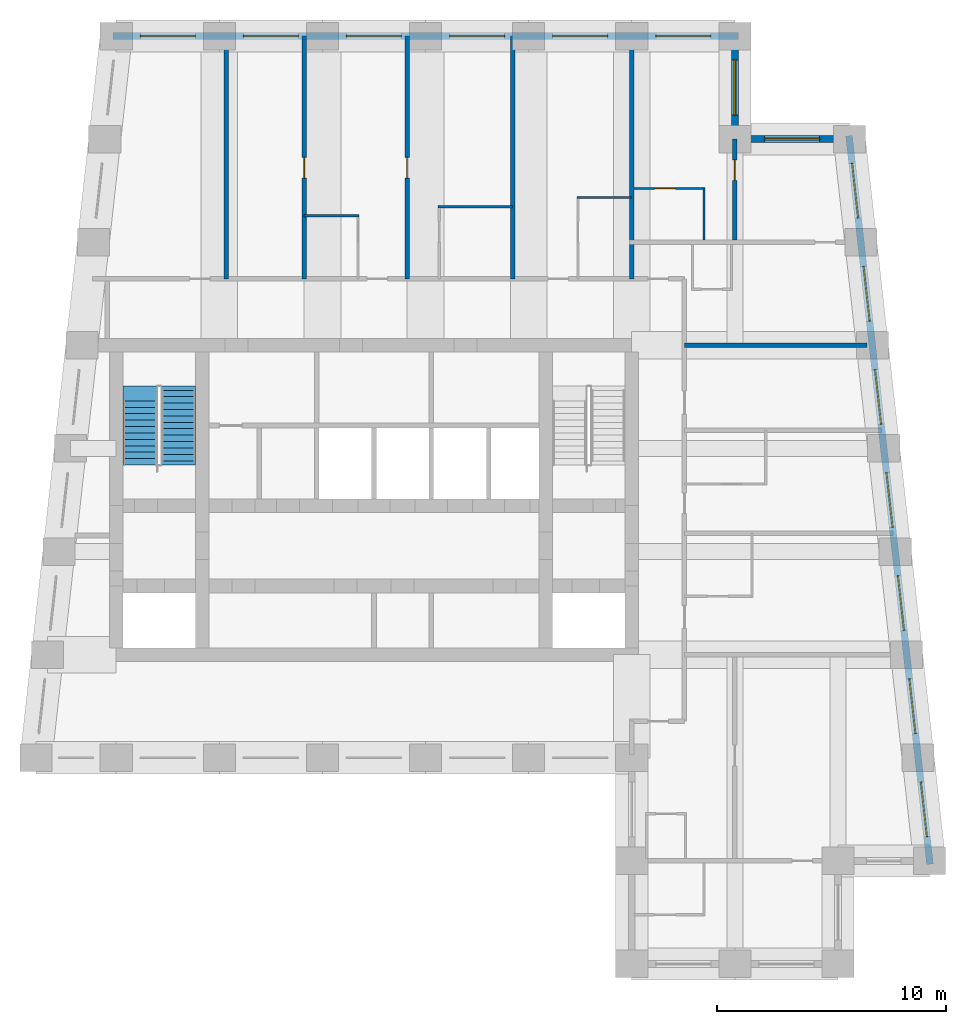
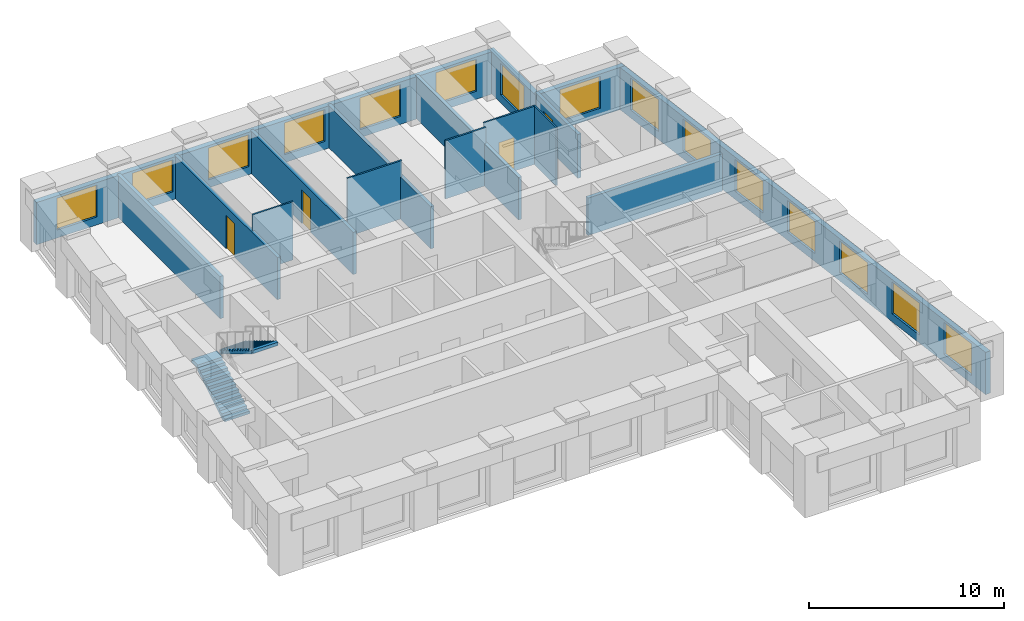
# One storey, part 5 of 7: 16 walls, 15 windows, 4 doors, 2 stair flights, 19 openings, 1 element without a shape of its own.
"""IFC4 building model written with IfcOpenShell, lengths in metres."""

from ifc_helpers import new_model, si_unit, direction, frame, frame_2d, origin, place, context, subcontext, project, spatial, polyline, rectangle, outline, extrude, material, layer, layer_set, type_object, element, fill, aggregate, save


model = new_model("IFC4")

# Units and contexts
model_context = context("Model", 3, precision=1e-05, world=origin(), true_north=direction((0.0, 1.0)))
body_context = subcontext(model_context, "Body", "Model", "MODEL_VIEW")
ifc_project = project(units=[si_unit("LENGTHUNIT", "METRE"), si_unit("AREAUNIT", "SQUARE_METRE"), si_unit("VOLUMEUNIT", "CUBIC_METRE"), si_unit("PLANEANGLEUNIT", "RADIAN"), si_unit("MASSUNIT", "GRAM", prefix="KILO")], contexts=[model_context])

# Site, building, storey
site_placement = place(None, origin())
site = spatial("IfcSite", under=ifc_project, at=site_placement, CompositionType="ELEMENT")
building_placement = place(site_placement, origin())
building = spatial("IfcBuilding", under=site, at=building_placement, Name="Kilele Tower Hotel", CompositionType="ELEMENT")
storey_placement = place(building_placement, frame((0.0, 0.0, 258.5)))
storey = spatial("IfcBuildingStorey", under=building, at=storey_placement, Name="L66", CompositionType="ELEMENT", Elevation=258.5)

# Walls
ifc_material_1 = material(Name="Moisture-resistant board")
ifc_layer_1 = layer(ifc_material_1, 0.10009765625)
ifc_layer_set_1 = layer_set([ifc_layer_1], Name="Moisture-resistant board")
wall_type_1 = type_object("IfcWallType", Name="Bathroom partition 100", PredefinedType="PLUMBINGWALL", material=ifc_layer_set_1)
wall_1_placement = place(storey_placement, frame((21.699951171875, 32.64990234375, 0.0), z_axis=(0.0, 0.0, 1.0), x_axis=(1.0, 0.0, 0.0)))
element("IfcWall", 1, at=wall_1_placement, inside=storey, type_object=wall_type_1, Name="Bathroom partition 100 L66", PredefinedType="PLUMBINGWALL", context=body_context, shape_type="SweptSolid", body=[
    extrude(rectangle(XDim=2.400146484375, YDim=0.10009765625, at=frame_2d((1.2001953125, 0.0))), origin(), (0.0, 0.0, 1.0), 3.64990234375),
])
wall_2_placement = place(storey_placement, frame((27.550048828125, 33.050048828125, 0.0), z_axis=(0.0, 0.0, 1.0), x_axis=(1.0, 0.0, 0.0)))
element("IfcWall", 2, at=wall_2_placement, inside=storey, type_object=wall_type_1, Name="Bathroom partition 100 L66", PredefinedType="PLUMBINGWALL", context=body_context, shape_type="SweptSolid", body=[
    extrude(rectangle(XDim=3.25, YDim=0.10009765625, at=frame_2d((1.625, 0.0))), origin(), (0.0, 0.0, 1.0), 3.64990234375),
])
wall_3_placement = place(storey_placement, frame((33.60009765625, 33.449951171875, 0.0), z_axis=(0.0, 0.0, 1.0), x_axis=(1.0, 0.0, 0.0)))
element("IfcWall", 3, at=wall_3_placement, inside=storey, type_object=wall_type_1, Name="Bathroom partition 100 L66", PredefinedType="PLUMBINGWALL", context=body_context, shape_type="SweptSolid", body=[
    extrude(rectangle(XDim=2.39990234375, YDim=0.10009765625, at=frame_2d((1.199951171875, 0.0))), origin(), (0.0, 0.0, 1.0), 3.64990234375),
])
wall_4_placement = place(storey_placement, frame((39.14990234375, 31.60009765625, 0.0), z_axis=(0.0, 0.0, 1.0), x_axis=(0.0, 1.0, 0.0)))
element("IfcWall", 4, at=wall_4_placement, inside=storey, type_object=wall_type_1, Name="Bathroom partition 100 L66", PredefinedType="PLUMBINGWALL", context=body_context, shape_type="SweptSolid", body=[
    extrude(rectangle(XDim=2.2998046875, YDim=0.10009765625, at=frame_2d((1.14990234375, 0.0))), origin(), (0.0, 0.0, 1.0), 3.64990234375),
])

# Wall, opening, door
wall_5_placement = place(storey_placement, frame((36.10009765625, 33.85009765625, 0.0), z_axis=(0.0, 0.0, 1.0), x_axis=(1.0, 0.0, 0.0)))
wall_5 = element("IfcWall", 5, at=wall_5_placement, inside=storey, type_object=wall_type_1, Name="Bathroom partition 100 L66", PredefinedType="PLUMBINGWALL", context=body_context, shape_type="SweptSolid", body=[
    extrude(rectangle(XDim=3.099853515625, YDim=0.10009765625, at=frame_2d((1.5498046875, 0.0))), origin(), (0.0, 0.0, 1.0), 3.64990234375),
])
opening_1_placement = place(wall_5_placement, frame((0.89990234375, 0.0, 0.0)))
opening_1 = element("IfcOpeningElement", 6, at=opening_1_placement, cuts=wall_5, Name="Opening D2A", PredefinedType="OPENING", context=body_context, shape_type="SweptSolid", body=[
    extrude(rectangle(XDim=0.89990234375, YDim=2.10009765625, at=frame_2d((0.449951171875, 1.050048828125))), frame((0.0, 0.06005859375, 0.0), z_axis=(0.0, -1.0, 0.0), x_axis=(1.0, 0.0, 0.0)), (0.0, 0.0, 1.0), 0.1201171875),
])
ifc_material_2 = material(Name="Timber door leaf in hardwood frame", Category="wood")
door_type_1 = type_object("IfcDoorType", Name="Bathroom door 900", OperationType="SINGLE_SWING_LEFT", PredefinedType="DOOR", material=ifc_material_2)
door_1_placement = place(opening_1_placement, origin())
door_1 = element("IfcDoor", 7, at=door_1_placement, inside=storey, type_object=door_type_1, Name="Bathroom door 6614B", OperationType="SINGLE_SWING_LEFT", OverallHeight=2.10009765625, OverallWidth=0.89990234375, PredefinedType="DOOR", context=body_context, shape_type="SweptSolid", body=[
    extrude(rectangle(XDim=0.89990234375, YDim=2.10009765625, at=frame_2d((0.449951171875, 1.050048828125))), frame((0.0, 0.02490234375, 0.0), z_axis=(0.0, -1.0, 0.0), x_axis=(1.0, 0.0, 0.0)), (0.0, 0.0, 1.0), 0.050048828125),
])
fill(opening_1, door_1)

ifc_material_3 = material(Name="Blockwork, plastered both sides", Category="masonry")
ifc_layer_2 = layer(ifc_material_3, 0.199951171875)
ifc_layer_set_2 = layer_set([ifc_layer_2], Name="Blockwork, plastered both sides")
wall_type_2 = type_object("IfcWallType", Name="Partition wall 200", PredefinedType="PARTITIONING", material=ifc_layer_set_2)
wall_6_placement = place(storey_placement, frame((40.5, 31.60009765625, 0.0), z_axis=(0.0, 0.0, 1.0), x_axis=(0.0, 1.0, 0.0)))
wall_6 = element("IfcWall", 8, at=wall_6_placement, inside=storey, type_object=wall_type_2, Name="Partition wall 200 L66", PredefinedType="PARTITIONING", context=body_context, shape_type="SweptSolid", body=[
    extrude(rectangle(XDim=4.39990234375, YDim=0.199951171875, at=frame_2d((2.199951171875, 0.0))), origin(), (0.0, 0.0, 1.0), 2.75),
])
opening_2_placement = place(wall_6_placement, frame((2.60009765625, 0.0, 0.0)))
opening_2 = element("IfcOpeningElement", 9, at=opening_2_placement, cuts=wall_6, Name="Opening D3", PredefinedType="OPENING", context=body_context, shape_type="SweptSolid", body=[
    extrude(rectangle(XDim=0.89990234375, YDim=2.10009765625, at=frame_2d((0.449951171875, 1.050048828125))), frame((0.0, 0.10986328125, 0.0), z_axis=(0.0, -1.0, 0.0), x_axis=(1.0, 0.0, 0.0)), (0.0, 0.0, 1.0), 0.219970703125),
])
ifc_material_4 = material(Name="Timber door leaf in hardwood frame", Category="wood")
door_type_2 = type_object("IfcDoorType", Name="Suite internal door 900", OperationType="SINGLE_SWING_LEFT", PredefinedType="DOOR", material=ifc_material_4)
door_2_placement = place(opening_2_placement, origin())
door_2 = element("IfcDoor", 10, at=door_2_placement, inside=storey, type_object=door_type_2, Name="Suite door 6615", OperationType="SINGLE_SWING_RIGHT", OverallHeight=2.10009765625, OverallWidth=0.89990234375, PredefinedType="DOOR", context=body_context, shape_type="SweptSolid", body=[
    extrude(rectangle(XDim=0.89990234375, YDim=2.10009765625, at=frame_2d((0.449951171875, 1.050048828125))), frame((0.0, 0.02490234375, 0.0), z_axis=(0.0, -1.0, 0.0), x_axis=(1.0, 0.0, 0.0)), (0.0, 0.0, 1.0), 0.050048828125),
])
fill(opening_2, door_2)

# Wall
ifc_material_5 = material(Name="Blockwork, plastered both sides", Category="masonry")
ifc_layer_3 = layer(ifc_material_5, 0.199951171875)
ifc_layer_set_3 = layer_set([ifc_layer_3], Name="Blockwork, plastered both sides")
wall_type_3 = type_object("IfcWallType", Name="Party wall 200", PredefinedType="PARTITIONING", material=ifc_layer_set_3)
wall_7_placement = place(storey_placement, frame((18.300048828125, 29.89990234375, 0.0), z_axis=(0.0, 0.0, 1.0), x_axis=(0.0, 1.0, 0.0)))
element("IfcWall", 11, at=wall_7_placement, inside=storey, type_object=wall_type_3, Name="Party wall 200 L66", PredefinedType="PARTITIONING", context=body_context, shape_type="SweptSolid", body=[
    extrude(rectangle(XDim=10.60009765625, YDim=0.199951171875, at=frame_2d((5.300048828125, 0.0))), origin(), (0.0, 0.0, 1.0), 2.64990234375),
])

# Wall, opening, door
wall_8_placement = place(storey_placement, frame((21.699951171875, 29.89990234375, 0.0), z_axis=(0.0, 0.0, 1.0), x_axis=(0.0, 1.0, 0.0)))
wall_8 = element("IfcWall", 12, at=wall_8_placement, inside=storey, type_object=wall_type_3, Name="Party wall 200 L66", PredefinedType="PARTITIONING", context=body_context, shape_type="SweptSolid", body=[
    extrude(rectangle(XDim=10.60009765625, YDim=0.199951171875, at=frame_2d((5.300048828125, 0.0))), origin(), (0.0, 0.0, 1.0), 2.64990234375),
])
opening_3_placement = place(wall_8_placement, frame((5.2998046875, 0.0, 0.0), z_axis=(0.0, 0.0, 1.0), x_axis=(-1.0, 0.0, 0.0)))
opening_3 = element("IfcOpeningElement", 13, at=opening_3_placement, cuts=wall_8, Name="Opening D3", PredefinedType="OPENING", context=body_context, shape_type="SweptSolid", body=[
    extrude(rectangle(XDim=0.89990234375, YDim=2.10009765625, at=frame_2d((0.449951171875, 1.050048828125))), frame((0.0, 0.10986328125, 0.0), z_axis=(0.0, -1.0, 0.0), x_axis=(1.0, 0.0, 0.0)), (0.0, 0.0, 1.0), 0.219970703125),
])
door_3_placement = place(opening_3_placement, origin())
door_3 = element("IfcDoor", 14, at=door_3_placement, inside=storey, type_object=door_type_2, Name="Suite door 6607", OperationType="SINGLE_SWING_RIGHT", OverallHeight=2.10009765625, OverallWidth=0.89990234375, PredefinedType="DOOR", context=body_context, shape_type="SweptSolid", body=[
    extrude(rectangle(XDim=0.89990234375, YDim=2.10009765625, at=frame_2d((0.449951171875, 1.050048828125))), frame((0.0, 0.02490234375, 0.0), z_axis=(0.0, -1.0, 0.0), x_axis=(1.0, 0.0, 0.0)), (0.0, 0.0, 1.0), 0.050048828125),
])
fill(opening_3, door_3)

wall_9_placement = place(storey_placement, frame((26.199951171875, 29.89990234375, 0.0), z_axis=(0.0, 0.0, 1.0), x_axis=(0.0, 1.0, 0.0)))
wall_9 = element("IfcWall", 15, at=wall_9_placement, inside=storey, type_object=wall_type_3, Name="Party wall 200 L66", PredefinedType="PARTITIONING", context=body_context, shape_type="SweptSolid", body=[
    extrude(rectangle(XDim=10.60009765625, YDim=0.199951171875, at=frame_2d((5.300048828125, 0.0))), origin(), (0.0, 0.0, 1.0), 2.64990234375),
])
opening_4_placement = place(wall_9_placement, frame((4.39990234375, 0.0, 0.0)))
opening_4 = element("IfcOpeningElement", 16, at=opening_4_placement, cuts=wall_9, Name="Opening D3", PredefinedType="OPENING", context=body_context, shape_type="SweptSolid", body=[
    extrude(rectangle(XDim=0.89990234375, YDim=2.10009765625, at=frame_2d((0.449951171875, 1.050048828125))), frame((0.0, 0.10986328125, 0.0), z_axis=(0.0, -1.0, 0.0), x_axis=(1.0, 0.0, 0.0)), (0.0, 0.0, 1.0), 0.219970703125),
])
door_4_placement = place(opening_4_placement, origin())
door_4 = element("IfcDoor", 17, at=door_4_placement, inside=storey, type_object=door_type_2, Name="Suite door 6608", OperationType="SINGLE_SWING_LEFT", OverallHeight=2.10009765625, OverallWidth=0.89990234375, PredefinedType="DOOR", context=body_context, shape_type="SweptSolid", body=[
    extrude(rectangle(XDim=0.89990234375, YDim=2.10009765625, at=frame_2d((0.449951171875, 1.050048828125))), frame((0.0, 0.02490234375, 0.0), z_axis=(0.0, -1.0, 0.0), x_axis=(1.0, 0.0, 0.0)), (0.0, 0.0, 1.0), 0.050048828125),
])
fill(opening_4, door_4)

# Walls
wall_10_placement = place(storey_placement, frame((30.800048828125, 29.89990234375, 0.0), z_axis=(0.0, 0.0, 1.0), x_axis=(0.0, 1.0, 0.0)))
element("IfcWall", 18, at=wall_10_placement, inside=storey, type_object=wall_type_3, Name="Party wall 200 L66", PredefinedType="PARTITIONING", context=body_context, shape_type="SweptSolid", body=[
    extrude(rectangle(XDim=10.60009765625, YDim=0.199951171875, at=frame_2d((5.300048828125, 0.0))), origin(), (0.0, 0.0, 1.0), 2.64990234375),
])
wall_11_placement = place(storey_placement, frame((38.300048828125, 27.0, 0.0), z_axis=(0.0, 0.0, 1.0), x_axis=(1.0, 0.0, 0.0)))
element("IfcWall", 19, at=wall_11_placement, inside=storey, type_object=wall_type_3, Name="Party wall 200 L66", PredefinedType="PARTITIONING", context=body_context, shape_type="SweptSolid", body=[
    extrude(rectangle(XDim=7.976806640625, YDim=0.199951171875, at=frame_2d((3.98828125, 0.0))), origin(), (0.0, 0.0, 1.0), 2.35009765625),
])
wall_12_placement = place(storey_placement, frame((36.0, 29.89990234375, 0.0), z_axis=(0.0, 0.0, 1.0), x_axis=(0.0, 1.0, 0.0)))
element("IfcWall", 20, at=wall_12_placement, inside=storey, type_object=wall_type_3, Name="Party wall 200 L66", PredefinedType="PARTITIONING", context=body_context, shape_type="SweptSolid", body=[
    extrude(rectangle(XDim=10.60009765625, YDim=0.199951171875, at=frame_2d((5.300048828125, 0.0))), origin(), (0.0, 0.0, 1.0), 2.64990234375),
])

# Wall, openings, windows
ifc_material_6 = material(Name="Concrete C40/50 precast", Category="concrete")
ifc_layer_4 = layer(ifc_material_6, 0.260009765625, Name="Precast backing", Category="LoadBearing")
ifc_material_7 = material(Name="Reconstituted stone finish", Category="masonry")
ifc_layer_5 = layer(ifc_material_7, 0.0400390625, Name="Face mix", Category="Finish")
ifc_layer_set_4 = layer_set([ifc_layer_4, ifc_layer_5], Name="Precast concrete C40/50, reconstituted stone finish")
wall_type_4 = type_object("IfcWallType", Name="Precast stone facade wall 300", PredefinedType="STANDARD", material=ifc_layer_set_4)
wall_13_placement = place(storey_placement, frame((49.0166015625, 4.350830078125, 0.0), z_axis=(0.0, 0.0, 1.0), x_axis=(-0.110433201132, 0.993883548555, 0.0)))
wall_13 = element("IfcWall", 21, at=wall_13_placement, inside=storey, type_object=wall_type_4, Name="Facade wall L66 edge 6", PredefinedType="STANDARD", context=body_context, shape_type="SweptSolid", body=[
    extrude(rectangle(XDim=31.994140625, YDim=0.300048828125, at=frame_2d((15.9970703125, 0.0))), origin(), (0.0, 0.0, 1.0), 2.64990234375),
])
opening_5_placement = place(wall_13_placement, frame((1.214111328125, 0.0, 0.5)))
opening_5 = element("IfcOpeningElement", 22, at=opening_5_placement, cuts=wall_13, Name="Opening W4", PredefinedType="OPENING", context=body_context, shape_type="SweptSolid", body=[
    extrude(rectangle(XDim=2.39990234375, YDim=2.0, at=frame_2d((1.199951171875, 1.0))), frame((0.0, 0.159912109375, 0.0), z_axis=(0.0, -1.0, 0.0), x_axis=(1.0, 0.0, 0.0)), (0.0, 0.0, 1.0), 0.320068359375),
])
opening_6_placement = place(wall_13_placement, frame((5.741943359375, 0.0, 0.5)))
opening_6 = element("IfcOpeningElement", 23, at=opening_6_placement, cuts=wall_13, Name="Opening W4", PredefinedType="OPENING", context=body_context, shape_type="SweptSolid", body=[
    extrude(rectangle(XDim=2.39990234375, YDim=2.0, at=frame_2d((1.199951171875, 1.0))), frame((0.0, 0.159912109375, 0.0), z_axis=(0.0, -1.0, 0.0), x_axis=(1.0, 0.0, 0.0)), (0.0, 0.0, 1.0), 0.320068359375),
])
opening_7_placement = place(wall_13_placement, frame((10.26904296875, 0.0, 0.5)))
opening_7 = element("IfcOpeningElement", 24, at=opening_7_placement, cuts=wall_13, Name="Opening W4", PredefinedType="OPENING", context=body_context, shape_type="SweptSolid", body=[
    extrude(rectangle(XDim=2.39990234375, YDim=2.0, at=frame_2d((1.199951171875, 1.0))), frame((0.0, 0.159912109375, 0.0), z_axis=(0.0, -1.0, 0.0), x_axis=(1.0, 0.0, 0.0)), (0.0, 0.0, 1.0), 0.320068359375),
])
opening_8_placement = place(wall_13_placement, frame((14.797119140625, 0.0, 0.5)))
opening_8 = element("IfcOpeningElement", 25, at=opening_8_placement, cuts=wall_13, Name="Opening W4", PredefinedType="OPENING", context=body_context, shape_type="SweptSolid", body=[
    extrude(rectangle(XDim=2.39990234375, YDim=2.0, at=frame_2d((1.199951171875, 1.0))), frame((0.0, 0.159912109375, 0.0), z_axis=(0.0, -1.0, 0.0), x_axis=(1.0, 0.0, 0.0)), (0.0, 0.0, 1.0), 0.320068359375),
])
opening_9_placement = place(wall_13_placement, frame((19.324951171875, 0.0, 0.5)))
opening_9 = element("IfcOpeningElement", 26, at=opening_9_placement, cuts=wall_13, Name="Opening W4", PredefinedType="OPENING", context=body_context, shape_type="SweptSolid", body=[
    extrude(rectangle(XDim=2.39990234375, YDim=2.0, at=frame_2d((1.199951171875, 1.0))), frame((0.0, 0.159912109375, 0.0), z_axis=(0.0, -1.0, 0.0), x_axis=(1.0, 0.0, 0.0)), (0.0, 0.0, 1.0), 0.320068359375),
])
opening_10_placement = place(wall_13_placement, frame((23.85205078125, 0.0, 0.5)))
opening_10 = element("IfcOpeningElement", 27, at=opening_10_placement, cuts=wall_13, Name="Opening W4", PredefinedType="OPENING", context=body_context, shape_type="SweptSolid", body=[
    extrude(rectangle(XDim=2.39990234375, YDim=2.0, at=frame_2d((1.199951171875, 1.0))), frame((0.0, 0.159912109375, 0.0), z_axis=(0.0, -1.0, 0.0), x_axis=(1.0, 0.0, 0.0)), (0.0, 0.0, 1.0), 0.320068359375),
])
opening_11_placement = place(wall_13_placement, frame((28.3798828125, 0.0, 0.5)))
opening_11 = element("IfcOpeningElement", 28, at=opening_11_placement, cuts=wall_13, Name="Opening W4", PredefinedType="OPENING", context=body_context, shape_type="SweptSolid", body=[
    extrude(rectangle(XDim=2.39990234375, YDim=2.0, at=frame_2d((1.199951171875, 1.0))), frame((0.0, 0.159912109375, 0.0), z_axis=(0.0, -1.0, 0.0), x_axis=(1.0, 0.0, 0.0)), (0.0, 0.0, 1.0), 0.320068359375),
])
ifc_material_8 = material(Name="Aluminium frame, clear double glazing", Category="aluminium")
window_type = type_object("IfcWindowType", Name="Window W4 2400 x 2000", PartitioningType="SINGLE_PANEL", PredefinedType="WINDOW", material=ifc_material_8)
window_1_placement = place(opening_5_placement, origin())
window_1 = element("IfcWindow", 29, at=window_1_placement, inside=storey, type_object=window_type, Name="Window L66", OverallHeight=2.0, OverallWidth=2.39990234375, PartitioningType="SINGLE_PANEL", PredefinedType="WINDOW", context=body_context, shape_type="SweptSolid", body=[
    extrude(rectangle(XDim=2.39990234375, YDim=2.0, at=frame_2d((1.199951171875, 1.0))), frame((0.0, 0.030029296875, 0.0), z_axis=(0.0, -1.0, 0.0), x_axis=(1.0, 0.0, 0.0)), (0.0, 0.0, 1.0), 0.06005859375),
])
fill(opening_5, window_1)
window_2_placement = place(opening_6_placement, origin())
window_2 = element("IfcWindow", 30, at=window_2_placement, inside=storey, type_object=window_type, Name="Window L66", OverallHeight=2.0, OverallWidth=2.39990234375, PartitioningType="SINGLE_PANEL", PredefinedType="WINDOW", context=body_context, shape_type="SweptSolid", body=[
    extrude(rectangle(XDim=2.39990234375, YDim=2.0, at=frame_2d((1.199951171875, 1.0))), frame((0.0, 0.030029296875, 0.0), z_axis=(0.0, -1.0, 0.0), x_axis=(1.0, 0.0, 0.0)), (0.0, 0.0, 1.0), 0.06005859375),
])
fill(opening_6, window_2)
window_3_placement = place(opening_7_placement, origin())
window_3 = element("IfcWindow", 31, at=window_3_placement, inside=storey, type_object=window_type, Name="Window L66", OverallHeight=2.0, OverallWidth=2.39990234375, PartitioningType="SINGLE_PANEL", PredefinedType="WINDOW", context=body_context, shape_type="SweptSolid", body=[
    extrude(rectangle(XDim=2.39990234375, YDim=2.0, at=frame_2d((1.199951171875, 1.0))), frame((0.0, 0.030029296875, 0.0), z_axis=(0.0, -1.0, 0.0), x_axis=(1.0, 0.0, 0.0)), (0.0, 0.0, 1.0), 0.06005859375),
])
fill(opening_7, window_3)
window_4_placement = place(opening_8_placement, origin())
window_4 = element("IfcWindow", 32, at=window_4_placement, inside=storey, type_object=window_type, Name="Window L66", OverallHeight=2.0, OverallWidth=2.39990234375, PartitioningType="SINGLE_PANEL", PredefinedType="WINDOW", context=body_context, shape_type="SweptSolid", body=[
    extrude(rectangle(XDim=2.39990234375, YDim=2.0, at=frame_2d((1.199951171875, 1.0))), frame((0.0, 0.030029296875, 0.0), z_axis=(0.0, -1.0, 0.0), x_axis=(1.0, 0.0, 0.0)), (0.0, 0.0, 1.0), 0.06005859375),
])
fill(opening_8, window_4)
window_5_placement = place(opening_9_placement, origin())
window_5 = element("IfcWindow", 33, at=window_5_placement, inside=storey, type_object=window_type, Name="Window L66", OverallHeight=2.0, OverallWidth=2.39990234375, PartitioningType="SINGLE_PANEL", PredefinedType="WINDOW", context=body_context, shape_type="SweptSolid", body=[
    extrude(rectangle(XDim=2.39990234375, YDim=2.0, at=frame_2d((1.199951171875, 1.0))), frame((0.0, 0.030029296875, 0.0), z_axis=(0.0, -1.0, 0.0), x_axis=(1.0, 0.0, 0.0)), (0.0, 0.0, 1.0), 0.06005859375),
])
fill(opening_9, window_5)
window_6_placement = place(opening_10_placement, origin())
window_6 = element("IfcWindow", 34, at=window_6_placement, inside=storey, type_object=window_type, Name="Window L66", OverallHeight=2.0, OverallWidth=2.39990234375, PartitioningType="SINGLE_PANEL", PredefinedType="WINDOW", context=body_context, shape_type="SweptSolid", body=[
    extrude(rectangle(XDim=2.39990234375, YDim=2.0, at=frame_2d((1.199951171875, 1.0))), frame((0.0, 0.030029296875, 0.0), z_axis=(0.0, -1.0, 0.0), x_axis=(1.0, 0.0, 0.0)), (0.0, 0.0, 1.0), 0.06005859375),
])
fill(opening_10, window_6)
window_7_placement = place(opening_11_placement, origin())
window_7 = element("IfcWindow", 35, at=window_7_placement, inside=storey, type_object=window_type, Name="Window L66", OverallHeight=2.0, OverallWidth=2.39990234375, PartitioningType="SINGLE_PANEL", PredefinedType="WINDOW", context=body_context, shape_type="SweptSolid", body=[
    extrude(rectangle(XDim=2.39990234375, YDim=2.0, at=frame_2d((1.199951171875, 1.0))), frame((0.0, 0.030029296875, 0.0), z_axis=(0.0, -1.0, 0.0), x_axis=(1.0, 0.0, 0.0)), (0.0, 0.0, 1.0), 0.06005859375),
])
fill(opening_11, window_7)

# Wall, opening, window
wall_14_placement = place(storey_placement, frame((45.64990234375, 36.0, 0.0), z_axis=(0.0, 0.0, 1.0), x_axis=(-1.0, 0.0, 0.0)))
wall_14 = element("IfcWall", 36, at=wall_14_placement, inside=storey, type_object=wall_type_4, Name="Facade wall L66 edge 7", PredefinedType="STANDARD", context=body_context, shape_type="SweptSolid", body=[
    extrude(rectangle(XDim=5.2998046875, YDim=0.300048828125, at=frame_2d((2.64990234375, 0.0))), origin(), (0.0, 0.0, 1.0), 2.64990234375),
])
opening_12_placement = place(wall_14_placement, frame((1.449951171875, 0.0, 0.5)))
opening_12 = element("IfcOpeningElement", 37, at=opening_12_placement, cuts=wall_14, Name="Opening W4", PredefinedType="OPENING", context=body_context, shape_type="SweptSolid", body=[
    extrude(rectangle(XDim=2.39990234375, YDim=2.0, at=frame_2d((1.199951171875, 1.0))), frame((0.0, 0.159912109375, 0.0), z_axis=(0.0, -1.0, 0.0), x_axis=(1.0, 0.0, 0.0)), (0.0, 0.0, 1.0), 0.320068359375),
])
window_8_placement = place(opening_12_placement, origin())
window_8 = element("IfcWindow", 38, at=window_8_placement, inside=storey, type_object=window_type, Name="Window L66", OverallHeight=2.0, OverallWidth=2.39990234375, PartitioningType="SINGLE_PANEL", PredefinedType="WINDOW", context=body_context, shape_type="SweptSolid", body=[
    extrude(rectangle(XDim=2.39990234375, YDim=2.0, at=frame_2d((1.199951171875, 1.0))), frame((0.0, 0.030029296875, 0.0), z_axis=(0.0, -1.0, 0.0), x_axis=(1.0, 0.0, 0.0)), (0.0, 0.0, 1.0), 0.06005859375),
])
fill(opening_12, window_8)

wall_15_placement = place(storey_placement, frame((40.5, 35.85009765625, 0.0), z_axis=(0.0, 0.0, 1.0), x_axis=(0.0, 1.0, 0.0)))
wall_15 = element("IfcWall", 39, at=wall_15_placement, inside=storey, type_object=wall_type_4, Name="Facade wall L66 edge 8", PredefinedType="STANDARD", context=body_context, shape_type="SweptSolid", body=[
    extrude(rectangle(XDim=4.7998046875, YDim=0.300048828125, at=frame_2d((2.39990234375, 0.0))), origin(), (0.0, 0.0, 1.0), 2.64990234375),
])
opening_13_placement = place(wall_15_placement, frame((1.199951171875, 0.0, 0.5)))
opening_13 = element("IfcOpeningElement", 40, at=opening_13_placement, cuts=wall_15, Name="Opening W4", PredefinedType="OPENING", context=body_context, shape_type="SweptSolid", body=[
    extrude(rectangle(XDim=2.39990234375, YDim=2.0, at=frame_2d((1.199951171875, 1.0))), frame((0.0, 0.159912109375, 0.0), z_axis=(0.0, -1.0, 0.0), x_axis=(1.0, 0.0, 0.0)), (0.0, 0.0, 1.0), 0.320068359375),
])
window_9_placement = place(opening_13_placement, origin())
window_9 = element("IfcWindow", 41, at=window_9_placement, inside=storey, type_object=window_type, Name="Window L66", OverallHeight=2.0, OverallWidth=2.39990234375, PartitioningType="SINGLE_PANEL", PredefinedType="WINDOW", context=body_context, shape_type="SweptSolid", body=[
    extrude(rectangle(XDim=2.39990234375, YDim=2.0, at=frame_2d((1.199951171875, 1.0))), frame((0.0, 0.030029296875, 0.0), z_axis=(0.0, -1.0, 0.0), x_axis=(1.0, 0.0, 0.0)), (0.0, 0.0, 1.0), 0.06005859375),
])
fill(opening_13, window_9)

# Wall, openings, windows
wall_16_placement = place(storey_placement, frame((40.64990234375, 40.5, 0.0), z_axis=(0.0, 0.0, 1.0), x_axis=(-1.0, 0.0, 0.0)))
wall_16 = element("IfcWall", 42, at=wall_16_placement, inside=storey, type_object=wall_type_4, Name="Facade wall L66 edge 9", PredefinedType="STANDARD", context=body_context, shape_type="SweptSolid", body=[
    extrude(rectangle(XDim=27.2998046875, YDim=0.300048828125, at=frame_2d((13.64990234375, 0.0))), origin(), (0.0, 0.0, 1.0), 2.64990234375),
])
opening_14_placement = place(wall_16_placement, frame((1.199951171875, 0.0, 0.5)))
opening_14 = element("IfcOpeningElement", 43, at=opening_14_placement, cuts=wall_16, Name="Opening W4", PredefinedType="OPENING", context=body_context, shape_type="SweptSolid", body=[
    extrude(rectangle(XDim=2.39990234375, YDim=2.0, at=frame_2d((1.199951171875, 1.0))), frame((0.0, 0.159912109375, 0.0), z_axis=(0.0, -1.0, 0.0), x_axis=(1.0, 0.0, 0.0)), (0.0, 0.0, 1.0), 0.320068359375),
])
opening_15_placement = place(wall_16_placement, frame((5.699951171875, 0.0, 0.5)))
opening_15 = element("IfcOpeningElement", 44, at=opening_15_placement, cuts=wall_16, Name="Opening W4", PredefinedType="OPENING", context=body_context, shape_type="SweptSolid", body=[
    extrude(rectangle(XDim=2.39990234375, YDim=2.0, at=frame_2d((1.199951171875, 1.0))), frame((0.0, 0.159912109375, 0.0), z_axis=(0.0, -1.0, 0.0), x_axis=(1.0, 0.0, 0.0)), (0.0, 0.0, 1.0), 0.320068359375),
])
opening_16_placement = place(wall_16_placement, frame((10.199951171875, 0.0, 0.5)))
opening_16 = element("IfcOpeningElement", 45, at=opening_16_placement, cuts=wall_16, Name="Opening W4", PredefinedType="OPENING", context=body_context, shape_type="SweptSolid", body=[
    extrude(rectangle(XDim=2.39990234375, YDim=2.0, at=frame_2d((1.199951171875, 1.0))), frame((0.0, 0.159912109375, 0.0), z_axis=(0.0, -1.0, 0.0), x_axis=(1.0, 0.0, 0.0)), (0.0, 0.0, 1.0), 0.320068359375),
])
opening_17_placement = place(wall_16_placement, frame((14.699951171875, 0.0, 0.5)))
opening_17 = element("IfcOpeningElement", 46, at=opening_17_placement, cuts=wall_16, Name="Opening W4", PredefinedType="OPENING", context=body_context, shape_type="SweptSolid", body=[
    extrude(rectangle(XDim=2.39990234375, YDim=2.0, at=frame_2d((1.199951171875, 1.0))), frame((0.0, 0.159912109375, 0.0), z_axis=(0.0, -1.0, 0.0), x_axis=(1.0, 0.0, 0.0)), (0.0, 0.0, 1.0), 0.320068359375),
])
opening_18_placement = place(wall_16_placement, frame((19.199951171875, 0.0, 0.5)))
opening_18 = element("IfcOpeningElement", 47, at=opening_18_placement, cuts=wall_16, Name="Opening W4", PredefinedType="OPENING", context=body_context, shape_type="SweptSolid", body=[
    extrude(rectangle(XDim=2.39990234375, YDim=2.0, at=frame_2d((1.199951171875, 1.0))), frame((0.0, 0.159912109375, 0.0), z_axis=(0.0, -1.0, 0.0), x_axis=(1.0, 0.0, 0.0)), (0.0, 0.0, 1.0), 0.320068359375),
])
opening_19_placement = place(wall_16_placement, frame((23.699951171875, 0.0, 0.5)))
opening_19 = element("IfcOpeningElement", 48, at=opening_19_placement, cuts=wall_16, Name="Opening W4", PredefinedType="OPENING", context=body_context, shape_type="SweptSolid", body=[
    extrude(rectangle(XDim=2.39990234375, YDim=2.0, at=frame_2d((1.199951171875, 1.0))), frame((0.0, 0.159912109375, 0.0), z_axis=(0.0, -1.0, 0.0), x_axis=(1.0, 0.0, 0.0)), (0.0, 0.0, 1.0), 0.320068359375),
])
window_10_placement = place(opening_14_placement, origin())
window_10 = element("IfcWindow", 49, at=window_10_placement, inside=storey, type_object=window_type, Name="Window L66", OverallHeight=2.0, OverallWidth=2.39990234375, PartitioningType="SINGLE_PANEL", PredefinedType="WINDOW", context=body_context, shape_type="SweptSolid", body=[
    extrude(rectangle(XDim=2.39990234375, YDim=2.0, at=frame_2d((1.199951171875, 1.0))), frame((0.0, 0.030029296875, 0.0), z_axis=(0.0, -1.0, 0.0), x_axis=(1.0, 0.0, 0.0)), (0.0, 0.0, 1.0), 0.06005859375),
])
fill(opening_14, window_10)
window_11_placement = place(opening_15_placement, origin())
window_11 = element("IfcWindow", 50, at=window_11_placement, inside=storey, type_object=window_type, Name="Window L66", OverallHeight=2.0, OverallWidth=2.39990234375, PartitioningType="SINGLE_PANEL", PredefinedType="WINDOW", context=body_context, shape_type="SweptSolid", body=[
    extrude(rectangle(XDim=2.39990234375, YDim=2.0, at=frame_2d((1.199951171875, 1.0))), frame((0.0, 0.030029296875, 0.0), z_axis=(0.0, -1.0, 0.0), x_axis=(1.0, 0.0, 0.0)), (0.0, 0.0, 1.0), 0.06005859375),
])
fill(opening_15, window_11)
window_12_placement = place(opening_16_placement, origin())
window_12 = element("IfcWindow", 51, at=window_12_placement, inside=storey, type_object=window_type, Name="Window L66", OverallHeight=2.0, OverallWidth=2.39990234375, PartitioningType="SINGLE_PANEL", PredefinedType="WINDOW", context=body_context, shape_type="SweptSolid", body=[
    extrude(rectangle(XDim=2.39990234375, YDim=2.0, at=frame_2d((1.199951171875, 1.0))), frame((0.0, 0.030029296875, 0.0), z_axis=(0.0, -1.0, 0.0), x_axis=(1.0, 0.0, 0.0)), (0.0, 0.0, 1.0), 0.06005859375),
])
fill(opening_16, window_12)
window_13_placement = place(opening_17_placement, origin())
window_13 = element("IfcWindow", 52, at=window_13_placement, inside=storey, type_object=window_type, Name="Window L66", OverallHeight=2.0, OverallWidth=2.39990234375, PartitioningType="SINGLE_PANEL", PredefinedType="WINDOW", context=body_context, shape_type="SweptSolid", body=[
    extrude(rectangle(XDim=2.39990234375, YDim=2.0, at=frame_2d((1.199951171875, 1.0))), frame((0.0, 0.030029296875, 0.0), z_axis=(0.0, -1.0, 0.0), x_axis=(1.0, 0.0, 0.0)), (0.0, 0.0, 1.0), 0.06005859375),
])
fill(opening_17, window_13)
window_14_placement = place(opening_18_placement, origin())
window_14 = element("IfcWindow", 53, at=window_14_placement, inside=storey, type_object=window_type, Name="Window L66", OverallHeight=2.0, OverallWidth=2.39990234375, PartitioningType="SINGLE_PANEL", PredefinedType="WINDOW", context=body_context, shape_type="SweptSolid", body=[
    extrude(rectangle(XDim=2.39990234375, YDim=2.0, at=frame_2d((1.199951171875, 1.0))), frame((0.0, 0.030029296875, 0.0), z_axis=(0.0, -1.0, 0.0), x_axis=(1.0, 0.0, 0.0)), (0.0, 0.0, 1.0), 0.06005859375),
])
fill(opening_18, window_14)
window_15_placement = place(opening_19_placement, origin())
window_15 = element("IfcWindow", 54, at=window_15_placement, inside=storey, type_object=window_type, Name="Window L66", OverallHeight=2.0, OverallWidth=2.39990234375, PartitioningType="SINGLE_PANEL", PredefinedType="WINDOW", context=body_context, shape_type="SweptSolid", body=[
    extrude(rectangle(XDim=2.39990234375, YDim=2.0, at=frame_2d((1.199951171875, 1.0))), frame((0.0, 0.030029296875, 0.0), z_axis=(0.0, -1.0, 0.0), x_axis=(1.0, 0.0, 0.0)), (0.0, 0.0, 1.0), 0.06005859375),
])
fill(opening_19, window_15)

# Stair, stair flights
ifc_material_9 = material(Name="Precast concrete C40/50", Category="concrete")
stair_type = type_object("IfcStairType", Name="Stair 1475 x 3900", PredefinedType="HALF_TURN_STAIR", material=ifc_material_9)
stair_placement = place(storey_placement, origin())
stair = element("IfcStair", 55, at=stair_placement, inside=storey, type_object=stair_type, Name="Stair 1 L66", PredefinedType="HALF_TURN_STAIR")
ifc_material_10 = material(Name="Precast concrete C40/50", Category="concrete")
stair_flight_type = type_object("IfcStairFlightType", Name="Flight 1475 riser 169.6", PredefinedType="STRAIGHT", material=ifc_material_10)
stair_flight_1_placement = place(storey_placement, frame((14.53759765625, 21.77490234375, 0.0), z_axis=(0.0, 0.0, 1.0), x_axis=(0.0, 1.0, 0.0)))
stair_flight_1 = element("IfcStairFlight", 56, at=stair_flight_1_placement, type_object=stair_flight_type, Name="ST1 flight 1", NumberOfRisers=11, NumberOfTreads=10, PredefinedType="STRAIGHT", RiserHeight=0.169565217, TreadLength=0.28, context=body_context, shape_type="SweptSolid", body=[
    extrude(outline(polyline([(0.0, 0.0), (0.0, 0.169677734375), (0.280029296875, 0.169677734375), (0.280029296875, 0.339111328125), (0.56005859375, 0.339111328125), (0.56005859375, 0.5087890625), (0.840087890625, 0.5087890625), (0.840087890625, 0.67822265625), (1.1201171875, 0.67822265625), (1.1201171875, 0.847900390625), (1.39990234375, 0.847900390625), (1.39990234375, 1.017333984375), (1.679931640625, 1.017333984375), (1.679931640625, 1.18701171875), (1.9599609375, 1.18701171875), (1.9599609375, 1.3564453125), (2.239990234375, 1.3564453125), (2.239990234375, 1.526123046875), (2.52001953125, 1.526123046875), (2.52001953125, 1.695556640625), (2.800048828125, 1.695556640625), (2.800048828125, 1.865234375), (2.800048828125, 1.5205078125), (0.289306640625, 0.0), (0.0, 0.0)])), frame((0.0, 0.737548828125, 0.0), z_axis=(0.0, -1.0, 0.0), x_axis=(1.0, 0.0, 0.0)), (0.0, 0.0, 1.0), 1.47509765625),
    extrude(outline(polyline([(2.800048828125, 0.737548828125), (2.800048828125, -0.7373046875), (3.4501953125, -0.7373046875), (3.4501953125, 0.737548828125), (2.800048828125, 0.737548828125)])), frame((0.0, 0.0, 1.665283203125)), (0.0, 0.0, 1.0), 0.199951171875),
])
stair_flight_2_placement = place(storey_placement, frame((16.21240234375, 25.0400390625, 1.865234375), z_axis=(0.0, 0.0, 1.0), x_axis=(0.0, -1.0, 0.0)))
stair_flight_2 = element("IfcStairFlight", 57, at=stair_flight_2_placement, type_object=stair_flight_type, Name="ST1 flight 2", NumberOfRisers=12, NumberOfTreads=11, PredefinedType="STRAIGHT", RiserHeight=0.169565217, TreadLength=0.28, context=body_context, shape_type="SweptSolid", body=[
    extrude(outline(polyline([(0.0, 0.0), (0.0, 0.169677734375), (0.280029296875, 0.169677734375), (0.280029296875, 0.339111328125), (0.56005859375, 0.339111328125), (0.56005859375, 0.5087890625), (0.840087890625, 0.5087890625), (0.840087890625, 0.67822265625), (1.1201171875, 0.67822265625), (1.1201171875, 0.847900390625), (1.39990234375, 0.847900390625), (1.39990234375, 1.017333984375), (1.679931640625, 1.017333984375), (1.679931640625, 1.18701171875), (1.9599609375, 1.18701171875), (1.9599609375, 1.3564453125), (2.239990234375, 1.3564453125), (2.239990234375, 1.526123046875), (2.52001953125, 1.526123046875), (2.52001953125, 1.695556640625), (2.800048828125, 1.695556640625), (2.800048828125, 1.865234375), (3.080078125, 1.865234375), (3.080078125, 2.03466796875), (3.080078125, 1.68994140625), (0.289306640625, 0.0), (0.0, 0.0)])), frame((0.0, 0.737548828125, 0.0), z_axis=(0.0, -1.0, 0.0), x_axis=(1.0, 0.0, 0.0)), (0.0, 0.0, 1.0), 1.47509765625),
    extrude(outline(polyline([(0.0, -0.7373046875), (0.0, 0.737548828125), (-0.18505859375, 0.737548828125), (-0.18505859375, -0.7373046875), (0.0, -0.7373046875)])), frame((0.0, 0.0, -0.199951171875)), (0.0, 0.0, 1.0), 0.199951171875),
    extrude(outline(polyline([(3.26513671875, -0.7373046875), (3.26513671875, 0.737548828125), (3.080078125, 0.737548828125), (3.080078125, -0.7373046875), (3.26513671875, -0.7373046875)])), frame((0.0, 0.0, 1.834716796875)), (0.0, 0.0, 1.0), 0.199951171875),
])
aggregate(stair, [stair_flight_1, stair_flight_2])

save(model, "model.ifc")
